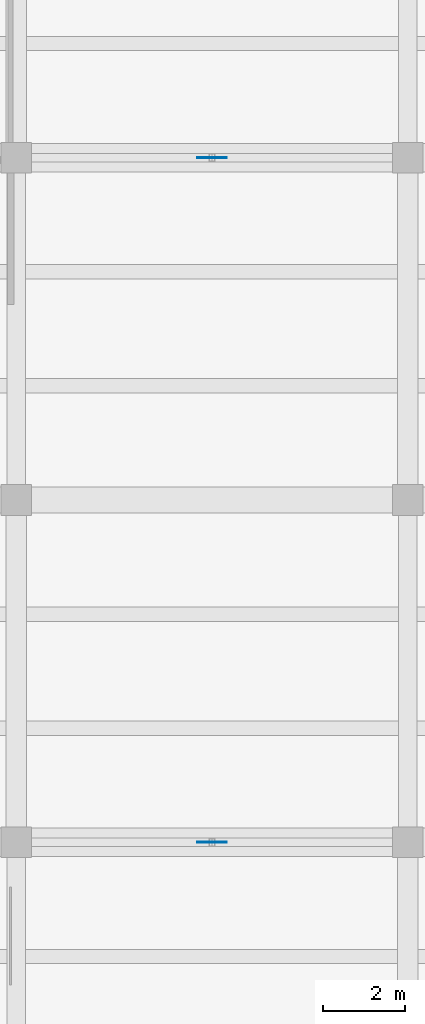
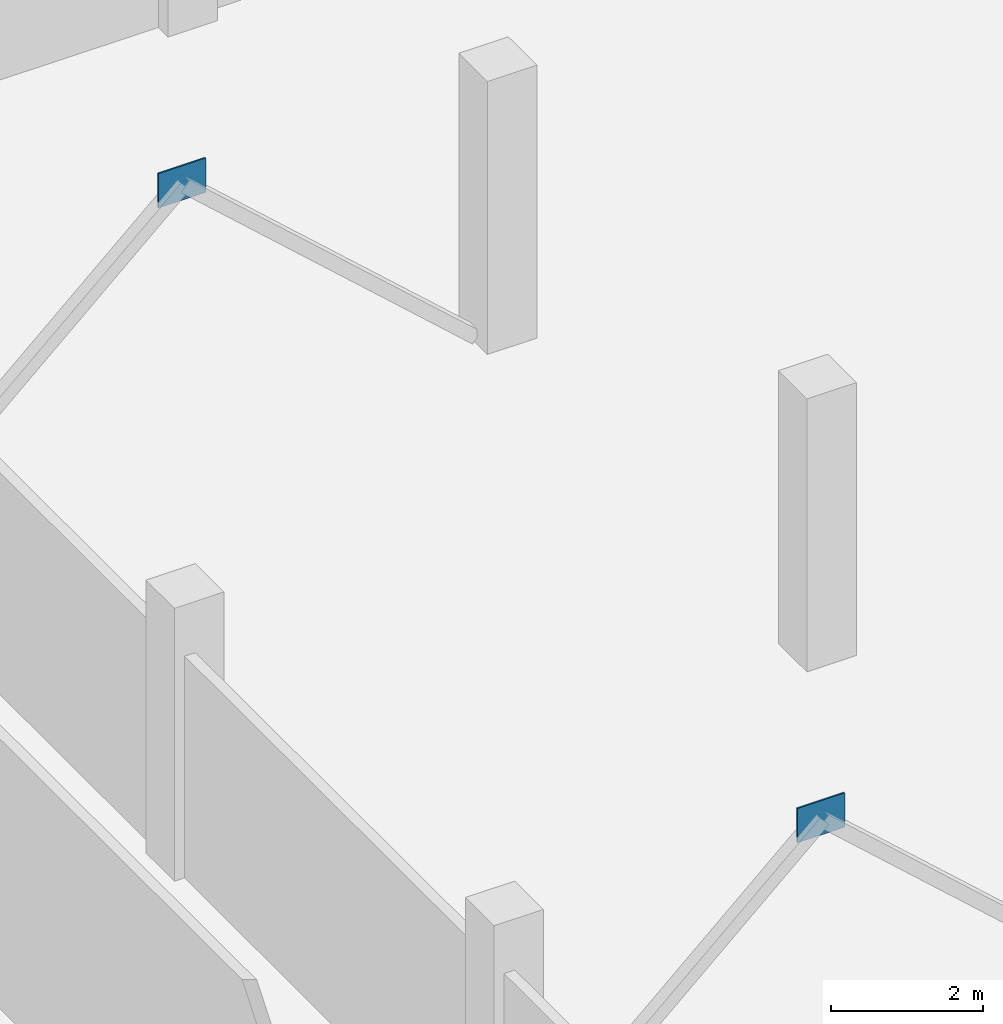
# One storey, part 14 of 30: 2 plates.
"""IFC4 building model written with IfcOpenShell, lengths in metres."""

from ifc_helpers import new_model, si_unit, direction, frame, origin, origin_2d, place, context, subcontext, project, spatial, rectangle, extrude, material, layer, layer_set, type_object, element, save


model = new_model("IFC4")

# Units and contexts
model_context = context("Model", 3, precision=1e-05, world=origin(), true_north=direction((0.0, 1.0)))
body_context = subcontext(model_context, "Body", "Model", "MODEL_VIEW")
ifc_project = project(units=[si_unit("LENGTHUNIT", "METRE"), si_unit("AREAUNIT", "SQUARE_METRE"), si_unit("VOLUMEUNIT", "CUBIC_METRE"), si_unit("PLANEANGLEUNIT", "RADIAN"), si_unit("MASSUNIT", "GRAM", prefix="KILO")], contexts=[model_context])

# Site, building, storey
site_placement = place(None, origin())
site = spatial("IfcSite", under=ifc_project, at=site_placement, CompositionType="ELEMENT")
building_placement = place(site_placement, origin())
building = spatial("IfcBuilding", under=site, at=building_placement, Name="Lornevale Opera House", CompositionType="ELEMENT")
storey_placement = place(building_placement, frame((0.0, 0.0, -4.800048828125)))
storey = spatial("IfcBuildingStorey", under=building, at=storey_placement, Name="B1", CompositionType="ELEMENT", Elevation=-4.800048828125)

# Plates
ifc_material = material(Name="Structural Steel CSA G40.21 Grade 350W (350 MPa)", Category="steel")
ifc_layer = layer(ifc_material, 0.02392578125)
ifc_layer_set = layer_set([ifc_layer], Name="Structural Steel CSA G40.21 Grade 350W (350 MPa)")
plate_type = type_object("IfcPlateType", Name="Chevron Brace Gusset 720x550x24", PredefinedType="USERDEFINED", material=ifc_layer_set)
for number, where, z_axis, x_axis, name in (
    (1, (43.199951171875, 67.199951171875, 3.80517578125), (0.0, 0.0, 1.0), (1.0, 0.0, 0.0), "Chevron Brace Gusset PT-0065"),
    (2, (43.199951171875, 84.0, 3.80517578125), (0.0, 0.0, 1.0), (1.0, 0.0, 0.0), "Chevron Brace Gusset PT-0069"),
):
    element("IfcPlate", number, at=place(storey_placement, frame(where, z_axis=z_axis, x_axis=x_axis)), inside=storey, type_object=plate_type, Name=name, ObjectType="GUSSET PLATE", PredefinedType="USERDEFINED", context=body_context, shape_type="SweptSolid", body=[
        extrude(rectangle(XDim=0.719970703125, YDim=0.02392578125, at=origin_2d()), origin(), (0.0, 0.0, 1.0), 0.550048828125),
    ])

save(model, "model.ifc")
